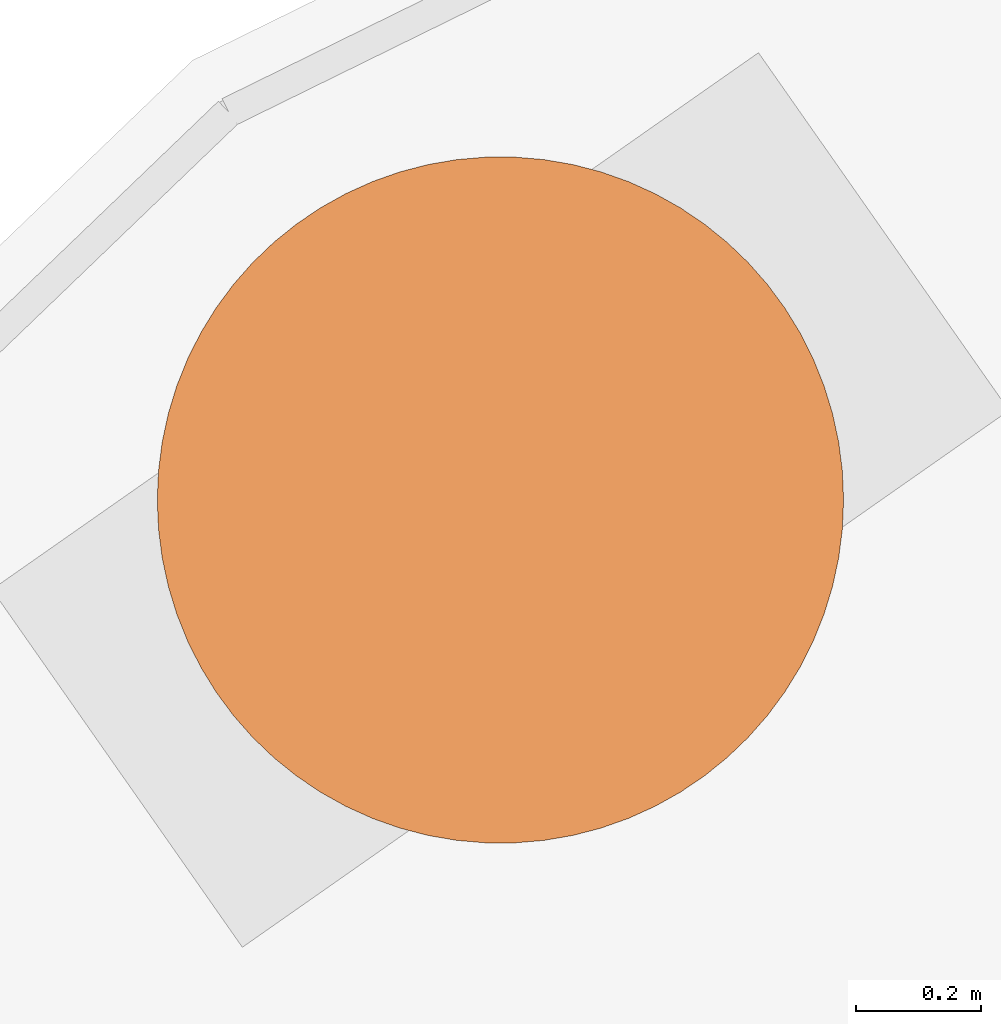
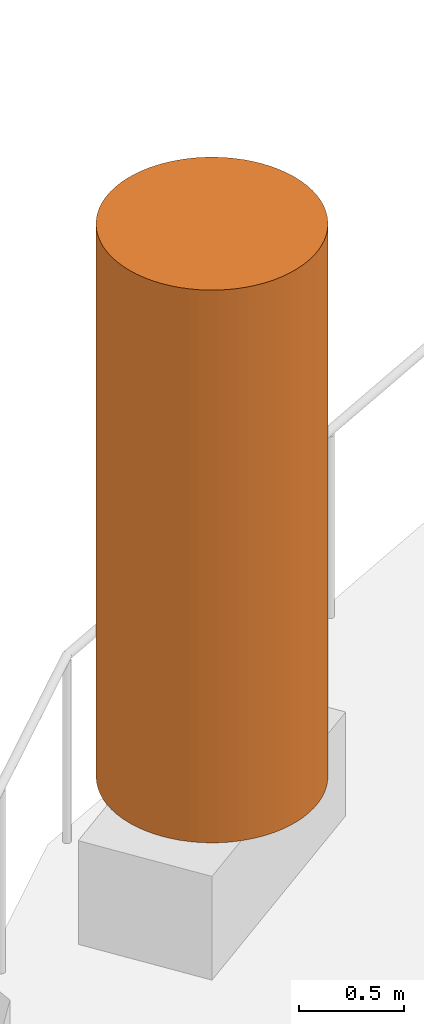
# One storey, part 11 of 11: 1 geographic element.
"""IFC4 building model written with IfcOpenShell, lengths in metres."""

from ifc_helpers import new_model, si_unit, direction, frame, origin, origin_2d, place, context, subcontext, project, spatial, circle, extrude, element, save


model = new_model("IFC4")

# Units and contexts
model_context = context("Model", 3, precision=1e-05, world=origin(), true_north=direction((0.0, 1.0)))
body_context = subcontext(model_context, "Body", "Model", "MODEL_VIEW")
ifc_project = project(units=[si_unit("LENGTHUNIT", "METRE"), si_unit("AREAUNIT", "SQUARE_METRE"), si_unit("VOLUMEUNIT", "CUBIC_METRE"), si_unit("PLANEANGLEUNIT", "RADIAN"), si_unit("MASSUNIT", "GRAM", prefix="KILO")], contexts=[model_context])

# Site, building, storey
site_placement = place(None, origin())
site = spatial("IfcSite", under=ifc_project, at=site_placement, CompositionType="ELEMENT")
building_placement = place(site_placement, origin())
building = spatial("IfcBuilding", under=site, at=building_placement, Name="Skarvind Civic Tower", CompositionType="ELEMENT")
storey_placement = place(building_placement, frame((0.0, 0.0, 212.0)))
storey = spatial("IfcBuildingStorey", under=building, at=storey_placement, Name="L50", CompositionType="ELEMENT", Elevation=212.0)

# Geographic element
geographic_element_placement = place(storey_placement, frame((40.187744140625, 136.30078125, 0.60009765625), z_axis=(0.0, 0.0, 1.0), x_axis=(1.0, 0.0, 0.0)))
element("IfcGeographicElement", 1, at=geographic_element_placement, inside=storey, Name="TERRACE TREE", ObjectType="TREE", PredefinedType="USERDEFINED", context=body_context, shape_type="SweptSolid", body=[
    extrude(circle(Radius=0.550048828125, at=origin_2d()), origin(), (0.0, 0.0, 1.0), 3.199951171875),
])

save(model, "model.ifc")
